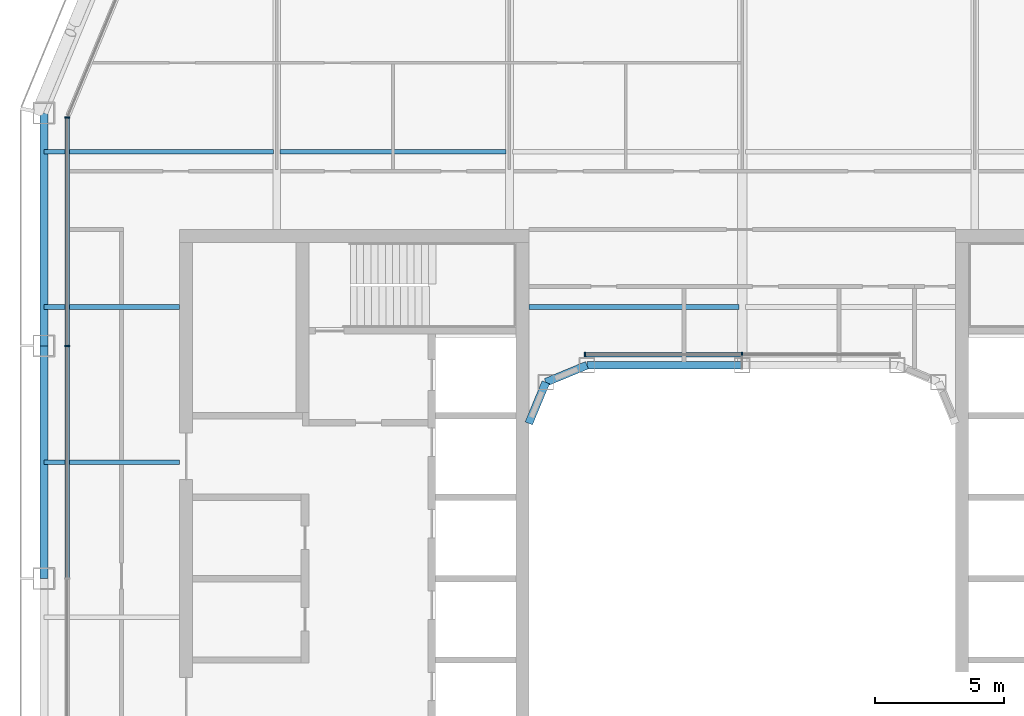
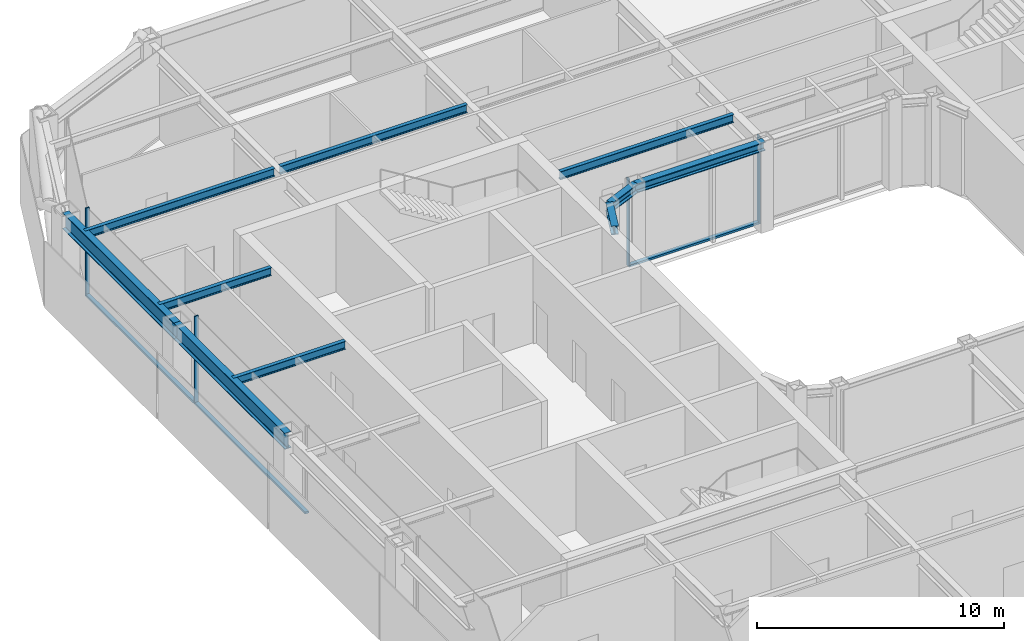
# One storey, part 6 of 22: 10 beams, 7 members, 2 elements without a shape of their own.
"""IFC4 building model written with IfcOpenShell, lengths in metres."""

from ifc_helpers import new_model, si_unit, direction, frame, origin, origin_2d, place, context, subcontext, project, spatial, rectangle, i_section, extrude, material, layer, layer_set, material_profile, profile_set, type_object, element, aggregate, save


model = new_model("IFC4")

# Units and contexts
model_context = context("Model", 3, precision=1e-05, world=origin(), true_north=direction((0.0, 1.0)))
body_context = subcontext(model_context, "Body", "Model", "MODEL_VIEW")
ifc_project = project(units=[si_unit("LENGTHUNIT", "METRE"), si_unit("AREAUNIT", "SQUARE_METRE"), si_unit("VOLUMEUNIT", "CUBIC_METRE"), si_unit("PLANEANGLEUNIT", "RADIAN"), si_unit("MASSUNIT", "GRAM", prefix="KILO")], contexts=[model_context])

# Site, building, storey
site_placement = place(None, origin())
site = spatial("IfcSite", under=ifc_project, at=site_placement, CompositionType="ELEMENT")
building_placement = place(site_placement, origin())
building = spatial("IfcBuilding", under=site, at=building_placement, Name="Siwar Civic Tower", CompositionType="ELEMENT")
storey_placement = place(building_placement, frame((0.0, 0.0, 219.699951171875)))
storey = spatial("IfcBuildingStorey", under=building, at=storey_placement, Name="L47", CompositionType="ELEMENT", Elevation=219.699951171875)

# Curtain wall, members
ifc_material_1 = material(Name="Aluminium and glass", Category="aluminium")
ifc_layer_1 = layer(ifc_material_1, 0.179931640625)
ifc_layer_set_1 = layer_set([ifc_layer_1], Name="Aluminium and glass")
curtain_wall_type_1 = type_object("IfcCurtainWallType", Name="ENV-CW-C", PredefinedType="NOTDEFINED", material=ifc_layer_set_1)
curtain_wall_1_placement = place(storey_placement, origin())
curtain_wall_1 = element("IfcCurtainWall", 1, at=curtain_wall_1_placement, inside=storey, type_object=curtain_wall_type_1, Name="Curtain wall C W", PredefinedType="NOTDEFINED")
ifc_material_2 = material(Name="Aluminium 6063-T6", Category="aluminium")
ifc_material_profile_1 = material_profile(ifc_material_2, rectangle(XDim=0.179931640625, YDim=0.06005859375, at=origin_2d()), Name="AL 180x60")
ifc_profile_set_1 = profile_set([ifc_material_profile_1], Name="Aluminium 6063-T6")
member_type_1 = type_object("IfcMemberType", Name="ENV-MULLION-C", PredefinedType="MULLION", material=ifc_profile_set_1)
member_1_placement = place(storey_placement, frame((-26.10009765625, 17.821044921875, 0.0), z_axis=(0.0, 0.0, 1.0), x_axis=(1.0, 0.0, 0.0)))
member_1 = element("IfcMember", 2, at=member_1_placement, type_object=member_type_1, Name="Mullion C W 1", PredefinedType="MULLION", context=body_context, shape_type="SweptSolid", body=[
    extrude(rectangle(XDim=0.179931640625, YDim=0.06005859375, at=origin_2d()), origin(), (0.0, 0.0, 1.0), 4.35009765625),
])
member_2_placement = place(storey_placement, frame((-26.10009765625, 9.0, 0.0), z_axis=(0.0, 0.0, 1.0), x_axis=(1.0, 0.0, 0.0)))
member_2 = element("IfcMember", 3, at=member_2_placement, type_object=member_type_1, Name="Mullion C W 2", PredefinedType="MULLION", context=body_context, shape_type="SweptSolid", body=[
    extrude(rectangle(XDim=0.179931640625, YDim=0.06005859375, at=origin_2d()), origin(), (0.0, 0.0, 1.0), 4.35009765625),
])

ifc_material_3 = material(Name="Aluminium and glass", Category="aluminium")
ifc_layer_2 = layer(ifc_material_3, 0.179931640625)
ifc_layer_set_2 = layer_set([ifc_layer_2], Name="Aluminium and glass")
curtain_wall_type_2 = type_object("IfcCurtainWallType", Name="ENV-CW-W", PredefinedType="NOTDEFINED", material=ifc_layer_set_2)
curtain_wall_2_placement = place(storey_placement, origin())
curtain_wall_2 = element("IfcCurtainWall", 4, at=curtain_wall_2_placement, inside=storey, type_object=curtain_wall_type_2, Name="Curtain wall W WN", PredefinedType="NOTDEFINED")
ifc_material_4 = material(Name="Aluminium 6063-T6", Category="aluminium")
ifc_material_profile_2 = material_profile(ifc_material_4, rectangle(XDim=0.179931640625, YDim=0.06005859375, at=origin_2d()), Name="AL 180x60")
ifc_profile_set_2 = profile_set([ifc_material_profile_2], Name="Aluminium 6063-T6")
member_type_2 = type_object("IfcMemberType", Name="ENV-MULLION-W", PredefinedType="MULLION", material=ifc_profile_set_2)
member_3_placement = place(storey_placement, frame((0.0, 8.659912109375, 0.0), z_axis=(0.0, 0.0, 1.0), x_axis=(0.0, -1.0, 0.0)))
member_3 = element("IfcMember", 5, at=member_3_placement, type_object=member_type_2, Name="Mullion W WN 2", PredefinedType="MULLION", context=body_context, shape_type="SweptSolid", body=[
    extrude(rectangle(XDim=0.179931640625, YDim=0.06005859375, at=origin_2d()), origin(), (0.0, 0.0, 1.0), 4.35009765625),
])
member_4_placement = place(storey_placement, frame((-6.08154296875, 8.659912109375, 0.0), z_axis=(0.0, 0.0, 1.0), x_axis=(0.0, -1.0, 0.0)))
member_4 = element("IfcMember", 6, at=member_4_placement, type_object=member_type_2, Name="Mullion W WN 3", PredefinedType="MULLION", context=body_context, shape_type="SweptSolid", body=[
    extrude(rectangle(XDim=0.179931640625, YDim=0.06005859375, at=origin_2d()), origin(), (0.0, 0.0, 1.0), 4.35009765625),
])

# Member
ifc_material_5 = material(Name="Aluminium 6063-T6", Category="aluminium")
ifc_material_profile_3 = material_profile(ifc_material_5, rectangle(XDim=0.179931640625, YDim=0.10009765625, at=origin_2d()), Name="AL 180x100")
ifc_profile_set_3 = profile_set([ifc_material_profile_3], Name="Aluminium 6063-T6")
member_type_3 = type_object("IfcMemberType", Name="ENV-TRANSOM-C", PredefinedType="USERDEFINED", material=ifc_profile_set_3)
member_5_placement = place(storey_placement, frame((-26.10009765625, 17.791015625, 0.050048828125), z_axis=(0.0, -1.0, 0.0), x_axis=(1.0, 0.0, 0.0)))
member_5 = element("IfcMember", 7, at=member_5_placement, type_object=member_type_3, Name="Transom C W 1", ObjectType="TRANSOM", PredefinedType="USERDEFINED", context=body_context, shape_type="SweptSolid", body=[
    extrude(rectangle(XDim=0.179931640625, YDim=0.10009765625, at=origin_2d()), origin(), (0.0, 0.0, 1.0), 8.760986328125),
])

member_6_placement = place(storey_placement, frame((-26.10009765625, 8.969970703125, 0.050048828125), z_axis=(0.0, -1.0, 0.0), x_axis=(1.0, 0.0, 0.0)))
member_6 = element("IfcMember", 8, at=member_6_placement, type_object=member_type_3, Name="Transom C W 2", ObjectType="TRANSOM", PredefinedType="USERDEFINED", context=body_context, shape_type="SweptSolid", body=[
    extrude(rectangle(XDim=0.179931640625, YDim=0.10009765625, at=origin_2d()), origin(), (0.0, 0.0, 1.0), 8.93994140625),
])

aggregate(curtain_wall_1, [member_1, member_2, member_5, member_6])

ifc_material_6 = material(Name="Aluminium 6063-T6", Category="aluminium")
ifc_material_profile_4 = material_profile(ifc_material_6, rectangle(XDim=0.179931640625, YDim=0.10009765625, at=origin_2d()), Name="AL 180x100")
ifc_profile_set_4 = profile_set([ifc_material_profile_4], Name="Aluminium 6063-T6")
member_type_4 = type_object("IfcMemberType", Name="ENV-TRANSOM-W", PredefinedType="USERDEFINED", material=ifc_profile_set_4)
member_7_placement = place(storey_placement, frame((-0.030029296875, 8.659912109375, 0.050048828125), z_axis=(-1.0, 0.0, 0.0), x_axis=(0.0, -1.0, 0.0)))
member_7 = element("IfcMember", 9, at=member_7_placement, type_object=member_type_4, Name="Transom W WN 2", ObjectType="TRANSOM", PredefinedType="USERDEFINED", context=body_context, shape_type="SweptSolid", body=[
    extrude(rectangle(XDim=0.179931640625, YDim=0.10009765625, at=origin_2d()), origin(), (0.0, 0.0, 1.0), 6.021484375),
])

aggregate(curtain_wall_2, [member_3, member_4, member_7])

# Beams
ifc_material_7 = material(Name="Steel S355", Category="steel")
ifc_material_profile_5 = material_profile(ifc_material_7, i_section(OverallWidth=0.179931640625, OverallDepth=0.39990234375, WebThickness=0.008544921875, FlangeThickness=0.013427734375, FilletRadius=0.02099609375, at=origin_2d()), Name="IPE400")
ifc_profile_set_5 = profile_set([ifc_material_profile_5], Name="Steel S355")
beam_type_1 = type_object("IfcBeamType", Name="STR-FB-IPE400", PredefinedType="JOIST", material=ifc_profile_set_5)
for number, where, z_axis, x_axis, name in (
    (10, (-27.0, 4.5, 4.150146484375), (1.0, 0.0, 0.0), (0.0, 1.0, 0.0), "L47/bm/F025"),
    (11, (-27.0, 10.5, 4.150146484375), (1.0, 0.0, 0.0), (0.0, 1.0, 0.0), "L47/bm/F027"),
):
    element("IfcBeam", number, at=place(storey_placement, frame(where, z_axis=z_axis, x_axis=x_axis)), inside=storey, type_object=beam_type_1, Name=name, PredefinedType="JOIST", context=body_context, shape_type="SweptSolid", body=[
        extrude(i_section(OverallWidth=0.179931640625, OverallDepth=0.39990234375, WebThickness=0.008544921875, FlangeThickness=0.013427734375, FilletRadius=0.02099609375, at=origin_2d()), origin(), (0.0, 0.0, 1.0), 5.25),
    ])
beam_1_placement = place(storey_placement, frame((-8.25, 10.5, 4.150146484375), z_axis=(1.0, 0.0, 0.0), x_axis=(0.0, 1.0, 0.0)))
element("IfcBeam", 12, at=beam_1_placement, inside=storey, type_object=beam_type_1, Name="L47/bm/F028", PredefinedType="JOIST", context=body_context, shape_type="SweptSolid", body=[
    extrude(i_section(OverallWidth=0.179931640625, OverallDepth=0.39990234375, WebThickness=0.008544921875, FlangeThickness=0.013427734375, FilletRadius=0.02099609375, at=origin_2d()), origin(), (0.0, 0.0, 1.0), 8.1201171875),
])
beam_2_placement = place(storey_placement, frame((-27.0, 16.5, 4.150146484375), z_axis=(1.0, 0.0, 0.0), x_axis=(0.0, 1.0, 0.0)))
element("IfcBeam", 13, at=beam_2_placement, inside=storey, type_object=beam_type_1, Name="L47/bm/F031", PredefinedType="JOIST", context=body_context, shape_type="SweptSolid", body=[
    extrude(i_section(OverallWidth=0.179931640625, OverallDepth=0.39990234375, WebThickness=0.008544921875, FlangeThickness=0.013427734375, FilletRadius=0.02099609375, at=origin_2d()), origin(), (0.0, 0.0, 1.0), 8.8701171875),
])
beam_3_placement = place(storey_placement, frame((-17.8701171875, 16.5, 4.150146484375), z_axis=(1.0, 0.0, 0.0), x_axis=(0.0, 1.0, 0.0)))
element("IfcBeam", 14, at=beam_3_placement, inside=storey, type_object=beam_type_1, Name="L47/bm/F032", PredefinedType="JOIST", context=body_context, shape_type="SweptSolid", body=[
    extrude(i_section(OverallWidth=0.179931640625, OverallDepth=0.39990234375, WebThickness=0.008544921875, FlangeThickness=0.013427734375, FilletRadius=0.02099609375, at=origin_2d()), origin(), (0.0, 0.0, 1.0), 8.740234375),
])
ifc_material_8 = material(Name="Steel S355", Category="steel")
ifc_material_profile_6 = material_profile(ifc_material_8, i_section(OverallWidth=0.306884765625, OverallDepth=0.431884765625, WebThickness=0.02099609375, FlangeThickness=0.0400390625, FilletRadius=0.027099609375, at=origin_2d()), Name="HEM400")
ifc_profile_set_6 = profile_set([ifc_material_profile_6], Name="Steel S355")
beam_type_2 = type_object("IfcBeamType", Name="STR-RB-HEM400", PredefinedType="BEAM", material=ifc_profile_set_6)
beam_4_placement = place(storey_placement, frame((-7.591064453125, 7.591064453125, 4.134033203125), z_axis=(0.923901072997, 0.382631424892, 0.0), x_axis=(-0.382631424892, 0.923901072997, 0.0)))
element("IfcBeam", 15, at=beam_4_placement, inside=storey, type_object=beam_type_2, Name="L47/bm/RN0", PredefinedType="BEAM", context=body_context, shape_type="SweptSolid", body=[
    extrude(i_section(OverallWidth=0.306884765625, OverallDepth=0.431884765625, WebThickness=0.02099609375, FlangeThickness=0.0400390625, FilletRadius=0.027099609375, at=origin_2d()), origin(), (0.0, 0.0, 1.0), 1.72216796875),
])
beam_5_placement = place(storey_placement, frame((-6.0, 8.25, 4.134033203125), z_axis=(1.0, 0.0, 0.0), x_axis=(0.0, 1.0, 0.0)))
element("IfcBeam", 16, at=beam_5_placement, inside=storey, type_object=beam_type_2, Name="L47/bm/RN1", PredefinedType="BEAM", context=body_context, shape_type="SweptSolid", body=[
    extrude(i_section(OverallWidth=0.306884765625, OverallDepth=0.431884765625, WebThickness=0.02099609375, FlangeThickness=0.0400390625, FilletRadius=0.027099609375, at=origin_2d()), origin(), (0.0, 0.0, 1.0), 6.0),
])
beam_6_placement = place(storey_placement, frame((-7.591064453125, 7.591064453125, 4.134033203125), z_axis=(-0.382631424892, -0.923901072997, 0.0), x_axis=(0.923901072997, -0.382631424892, 0.0)))
element("IfcBeam", 17, at=beam_6_placement, inside=storey, type_object=beam_type_2, Name="L47/bm/RNEW", PredefinedType="BEAM", context=body_context, shape_type="SweptSolid", body=[
    extrude(i_section(OverallWidth=0.306884765625, OverallDepth=0.431884765625, WebThickness=0.02099609375, FlangeThickness=0.0400390625, FilletRadius=0.027099609375, at=origin_2d()), origin(), (0.0, 0.0, 1.0), 1.72216796875),
])
ifc_material_9 = material(Name="Steel S355", Category="steel")
ifc_material_profile_7 = material_profile(ifc_material_9, i_section(OverallWidth=0.300048828125, OverallDepth=0.800048828125, WebThickness=0.017578125, FlangeThickness=0.032958984375, FilletRadius=0.030029296875, at=origin_2d()), Name="HEB800")
ifc_profile_set_7 = profile_set([ifc_material_profile_7], Name="Steel S355")
beam_type_3 = type_object("IfcBeamType", Name="STR-SB-HEB800", PredefinedType="BEAM", material=ifc_profile_set_7)
for number, where, z_axis, x_axis, name in (
    (18, (-27.0, 18.0, 3.949951171875), (0.0, -1.0, 0.0), (1.0, 0.0, 0.0), "L47/bm/SW-0"),
    (19, (-27.0, 9.0, 3.949951171875), (0.0, -1.0, 0.0), (1.0, 0.0, 0.0), "L47/bm/SW-1"),
):
    element("IfcBeam", number, at=place(storey_placement, frame(where, z_axis=z_axis, x_axis=x_axis)), inside=storey, type_object=beam_type_3, Name=name, PredefinedType="BEAM", context=body_context, shape_type="SweptSolid", body=[
        extrude(i_section(OverallWidth=0.300048828125, OverallDepth=0.800048828125, WebThickness=0.017578125, FlangeThickness=0.032958984375, FilletRadius=0.030029296875, at=origin_2d()), origin(), (0.0, 0.0, 1.0), 9.0),
    ])

save(model, "model.ifc")
